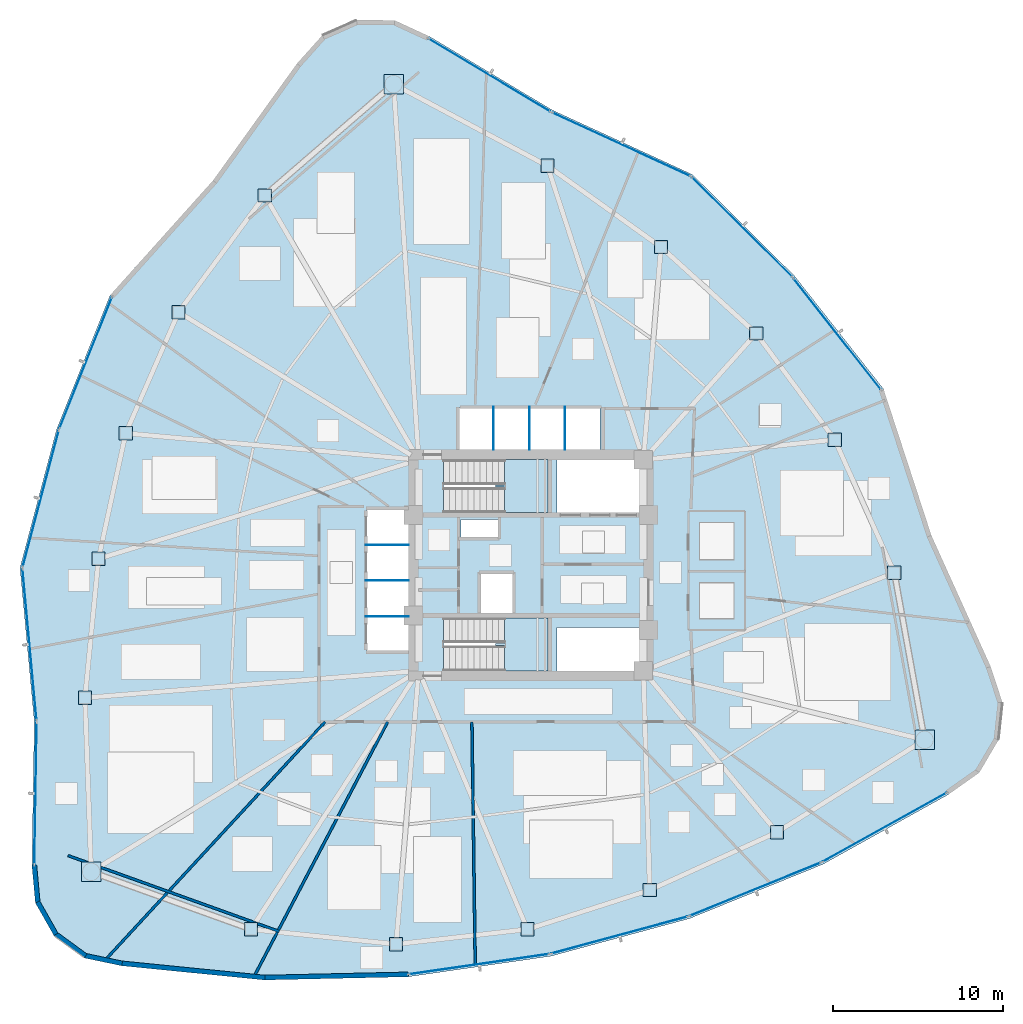
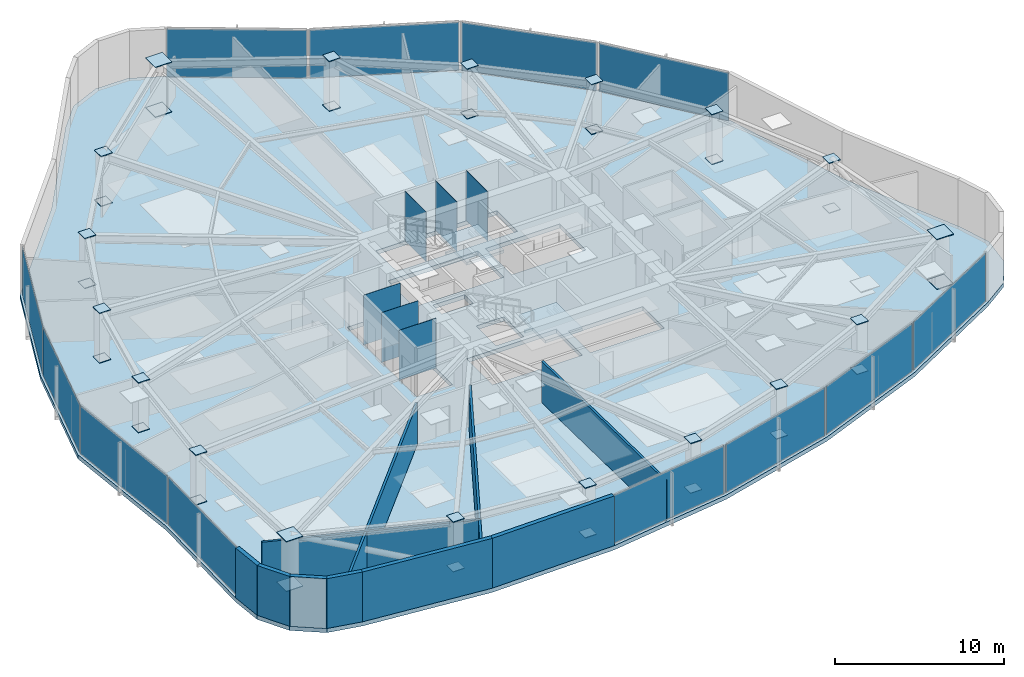
# One storey, part 10 of 17: 54 plates, 10 walls, 3 slabs, 14 elements without a shape of their own.
"""IFC4 building model written with IfcOpenShell, lengths in metres."""

from ifc_helpers import new_model, si_unit, direction, frame, frame_2d, origin, origin_2d, place, context, subcontext, project, spatial, polyline, rectangle, outline, extrude, source, transform, mapped, material, layer, layer_set, type_object, type_shapes, element, aggregate, save


model = new_model("IFC4")

# Units and contexts
model_context = context("Model", 3, precision=1e-05, world=origin(), true_north=direction((0.0, 1.0)))
body_context = subcontext(model_context, "Body", "Model", "MODEL_VIEW")
ifc_project = project(units=[si_unit("LENGTHUNIT", "METRE"), si_unit("AREAUNIT", "SQUARE_METRE"), si_unit("VOLUMEUNIT", "CUBIC_METRE"), si_unit("PLANEANGLEUNIT", "RADIAN"), si_unit("MASSUNIT", "GRAM", prefix="KILO")], contexts=[model_context])

# Site, building, storey
site_placement = place(None, origin())
site = spatial("IfcSite", under=ifc_project, at=site_placement, CompositionType="ELEMENT")
building_placement = place(site_placement, origin())
building = spatial("IfcBuilding", under=site, at=building_placement, Name="Tavelor Broadcast Tower", CompositionType="ELEMENT")
storey_placement = place(building_placement, frame((0.0, 0.0, 74.39990234375)))
storey = spatial("IfcBuildingStorey", under=building, at=storey_placement, Name="L17", CompositionType="ELEMENT", Elevation=74.39990234375)

# Stair, slab
ifc_material_1 = material(Name="Concrete C40/50", Category="concrete")
stair_type = type_object("IfcStairType", Name="Reinforced Concrete Protected Dogleg Stair 1450 mm", PredefinedType="HALF_TURN_STAIR", material=ifc_material_1)
stair_1_placement = place(storey_placement, origin())
stair_1 = element("IfcStair", 1, at=stair_1_placement, inside=storey, type_object=stair_type, Name="L17 Protected Core Exit Stair ST1", PredefinedType="HALF_TURN_STAIR")
ifc_layer_1 = layer(ifc_material_1, 0.199951171875)
ifc_layer_set_1 = layer_set([ifc_layer_1], Name="Concrete C40/50")
slab_type_1 = type_object("IfcSlabType", Name="Reinforced Concrete Stair Half-Landing Slab 200 mm", PredefinedType="LANDING", material=ifc_layer_set_1)
slab_1_placement = place(storey_placement, frame((0.0, 0.0, 1.75)))
slab_1 = element("IfcSlab", 2, at=slab_1_placement, type_object=slab_type_1, Name="ST1 landing 1", PredefinedType="LANDING", context=body_context, shape_type="SweptSolid", body=[
    extrude(outline(polyline([(48.445068359375, 49.590087890625), (48.445068359375, 48.094970703125), (51.0048828125, 48.094970703125), (51.0048828125, 51.205078125), (48.445068359375, 51.205078125), (48.445068359375, 49.7099609375), (47.905029296875, 49.7099609375), (47.905029296875, 49.590087890625), (48.445068359375, 49.590087890625)])), origin(), (0.0, 0.0, 1.0), 0.2001953125),
])
aggregate(stair_1, [slab_1])

stair_2_placement = place(storey_placement, origin())
stair_2 = element("IfcStair", 3, at=stair_2_placement, inside=storey, type_object=stair_type, Name="L17 Protected Core Exit Stair ST2", PredefinedType="HALF_TURN_STAIR")
slab_2_placement = place(storey_placement, frame((0.0, 0.0, 1.75)))
slab_2 = element("IfcSlab", 4, at=slab_2_placement, type_object=slab_type_1, Name="ST2 landing 1", PredefinedType="LANDING", context=body_context, shape_type="SweptSolid", body=[
    extrude(outline(polyline([(48.445068359375, 40.2900390625), (48.445068359375, 38.794921875), (51.0048828125, 38.794921875), (51.0048828125, 41.905029296875), (48.445068359375, 41.905029296875), (48.445068359375, 40.409912109375), (47.905029296875, 40.409912109375), (47.905029296875, 40.2900390625), (48.445068359375, 40.2900390625)])), origin(), (0.0, 0.0, 1.0), 0.2001953125),
])
aggregate(stair_2, [slab_2])

# Slab
ifc_layer_2 = layer(ifc_material_1, 0.300048828125)
ifc_layer_set_2 = layer_set([ifc_layer_2], Name="Concrete C40/50")
slab_type_2 = type_object("IfcSlabType", Name="Tower Composite Floor Slab 300 mm", PredefinedType="FLOOR", material=ifc_layer_set_2)
slab_3_placement = place(storey_placement, frame((0.0, 0.0, -0.2998046875)))
element("IfcSlab", 5, at=slab_3_placement, inside=storey, type_object=slab_type_2, Name="L17 Structural Floor Slab", PredefinedType="FLOOR", context=body_context, shape_type="SweptSolid", body=[
    extrude(outline(polyline([(44.001708984375, 76.086181640625), (41.98583984375, 77.015380859375), (39.766357421875, 77.03271484375), (37.736083984375, 76.13525390625), (36.25537109375, 74.48193359375), (31.327880859375, 67.618896484375), (25.2734375, 60.869384765625), (22.139404296875, 53.0234375), (19.9775390625, 44.85595703125), (20.81396484375, 35.82763671875), (20.677734375, 27.3798828125), (20.880859375, 25.169677734375), (21.9755859375, 23.23876953125), (23.767822265625, 21.92919921875), (25.940185546875, 21.473388671875), (34.34765625, 20.6376953125), (42.794189453125, 20.82568359375), (51.156005859375, 22.0341796875), (59.31005859375, 24.245849609375), (67.13671875, 27.427978515625), (74.5205078125, 31.533935546875), (76.333251953125, 32.81494140625), (77.4580078125, 34.728515625), (77.69580078125, 36.935302734375), (77.00439453125, 39.044677734375), (73.5244140625, 46.743408203125), (70.706298828125, 55.361328125), (65.478759765625, 61.99853515625), (59.486572265625, 67.954345703125), (51.24951171875, 71.744384765625), (44.001708984375, 76.086181640625)]), holes=[polyline([(56.60009765625, 38.800048828125), (51.52001953125, 38.800048828125), (51.52001953125, 41.35009765625), (56.60009765625, 41.35009765625), (56.60009765625, 38.800048828125)]), polyline([(50.99609375, 38.803955078125), (44.85400390625, 38.803955078125), (44.85400390625, 41.89599609375), (50.99609375, 41.89599609375), (50.99609375, 38.803955078125)]), polyline([(47.050048828125, 42.199951171875), (47.050048828125, 44.550048828125), (48.949951171875, 44.550048828125), (48.949951171875, 42.199951171875), (47.050048828125, 42.199951171875)]), polyline([(40.35009765625, 40.0), (40.35009765625, 48.25), (42.800048828125, 48.25), (42.800048828125, 40.0), (40.35009765625, 40.0)]), polyline([(48.050048828125, 46.64990234375), (45.89990234375, 46.64990234375), (45.89990234375, 47.699951171875), (48.050048828125, 47.699951171875), (48.050048828125, 46.64990234375)]), polyline([(50.99609375, 48.10400390625), (44.85400390625, 48.10400390625), (44.85400390625, 51.196044921875), (50.99609375, 51.196044921875), (50.99609375, 48.10400390625)]), polyline([(56.60009765625, 48.10009765625), (51.52001953125, 48.10009765625), (51.52001953125, 51.199951171875), (56.60009765625, 51.199951171875), (56.60009765625, 48.10009765625)]), polyline([(54.050048828125, 51.800048828125), (45.800048828125, 51.800048828125), (45.800048828125, 54.25), (54.050048828125, 54.25), (54.050048828125, 51.800048828125)])]), origin(), (0.0, 0.0, 1.0), 0.2998046875),
])

# Plates
ifc_material_2 = material(Name="Steel S460", Category="steel")
ifc_layer_3 = layer(ifc_material_2, 0.050048828125)
ifc_layer_set_3 = layer_set([ifc_layer_3], Name="Steel S460")
plate_type_1 = type_object("IfcPlateType", Name="Tube Hollow-End Cap Plate KN05 700x700x50", PredefinedType="USERDEFINED", material=ifc_layer_set_3)
shared_shape_1 = source(origin(), body_context, "Body", "SweptSolid", [
    extrude(rectangle(XDim=1.14697265625, YDim=1.14697265625, at=origin_2d()), origin(), (0.0, 0.0, 1.0), 0.054931640625),
])
for number, where, z_axis, x_axis, name in (
    (6, (41.923095703125, 73.266357421875, -0.02734375), (0.0, 0.0, 1.0), (1.0, 0.0, 0.0), "L17 Hollow End Cap Plate KN05 #508"),
    (7, (41.923095703125, 73.266357421875, 3.57275390625), (0.0, 0.0, 1.0), (1.0, 0.0, 0.0), "L17 Hollow End Cap Plate KN05 #509"),
    (8, (24.1591796875, 26.98974609375, -0.02734375), (0.0, 0.0, 1.0), (1.0, 0.0, 0.0), "L17 Hollow End Cap Plate KN05 #520"),
    (9, (24.1591796875, 26.98974609375, 3.57275390625), (0.0, 0.0, 1.0), (1.0, 0.0, 0.0), "L17 Hollow End Cap Plate KN05 #521"),
    (10, (73.117919921875, 34.743896484375, -0.02734375), (0.0, 0.0, 1.0), (1.0, 0.0, 0.0), "L17 Hollow End Cap Plate KN05 #532"),
    (11, (73.117919921875, 34.743896484375, 3.57275390625), (0.0, 0.0, 1.0), (1.0, 0.0, 0.0), "L17 Hollow End Cap Plate KN05 #533"),
):
    element("IfcPlate", number, at=place(storey_placement, frame(where, z_axis=z_axis, x_axis=x_axis)), inside=storey, type_object=plate_type_1, Name=name, ObjectType="CAP PLATE", PredefinedType="USERDEFINED", context=body_context, shape_type="MappedRepresentation", body=[
        mapped(shared_shape_1, transform((0.0, 0.0, 0.0), scale=1.0)),
    ])
shared_shape_2 = source(origin(), body_context, "Body", "SweptSolid", [
    extrude(rectangle(XDim=0.780029296875, YDim=0.780029296875, at=origin_2d()), origin(), (0.0, 0.0, 1.0), 0.054931640625),
])
type_shapes(plate_type_1, [shared_shape_1, shared_shape_2])
for number, where, z_axis, x_axis, name in (
    (12, (34.356201171875, 66.727783203125, -0.02734375), (0.0, 0.0, 1.0), (1.0, 0.0, 0.0), "L17 Hollow End Cap Plate KN05 #510"),
    (13, (34.356201171875, 66.727783203125, 3.57275390625), (0.0, 0.0, 1.0), (1.0, 0.0, 0.0), "L17 Hollow End Cap Plate KN05 #511"),
    (14, (29.292236328125, 59.87158203125, -0.02734375), (0.0, 0.0, 1.0), (1.0, 0.0, 0.0), "L17 Hollow End Cap Plate KN05 #512"),
    (15, (29.292236328125, 59.87158203125, 3.57275390625), (0.0, 0.0, 1.0), (1.0, 0.0, 0.0), "L17 Hollow End Cap Plate KN05 #513"),
    (16, (26.189208984375, 52.75830078125, -0.02734375), (0.0, 0.0, 1.0), (1.0, 0.0, 0.0), "L17 Hollow End Cap Plate KN05 #514"),
    (17, (26.189208984375, 52.75830078125, 3.57275390625), (0.0, 0.0, 1.0), (1.0, 0.0, 0.0), "L17 Hollow End Cap Plate KN05 #515"),
    (18, (24.58984375, 45.380615234375, -0.02734375), (0.0, 0.0, 1.0), (1.0, 0.0, 0.0), "L17 Hollow End Cap Plate KN05 #516"),
    (19, (24.58984375, 45.380615234375, 3.57275390625), (0.0, 0.0, 1.0), (1.0, 0.0, 0.0), "L17 Hollow End Cap Plate KN05 #517"),
    (20, (23.794677734375, 37.21630859375, -0.02734375), (0.0, 0.0, 1.0), (1.0, 0.0, 0.0), "L17 Hollow End Cap Plate KN05 #518"),
    (21, (23.794677734375, 37.21630859375, 3.57275390625), (0.0, 0.0, 1.0), (1.0, 0.0, 0.0), "L17 Hollow End Cap Plate KN05 #519"),
    (22, (33.55078125, 23.615478515625, -0.02734375), (0.0, 0.0, 1.0), (1.0, 0.0, 0.0), "L17 Hollow End Cap Plate KN05 #522"),
    (23, (33.55078125, 23.615478515625, 3.57275390625), (0.0, 0.0, 1.0), (1.0, 0.0, 0.0), "L17 Hollow End Cap Plate KN05 #523"),
    (24, (42.0732421875, 22.740478515625, -0.02734375), (0.0, 0.0, 1.0), (1.0, 0.0, 0.0), "L17 Hollow End Cap Plate KN05 #524"),
    (25, (42.0732421875, 22.740478515625, 3.57275390625), (0.0, 0.0, 1.0), (1.0, 0.0, 0.0), "L17 Hollow End Cap Plate KN05 #525"),
    (26, (49.78662109375, 23.617919921875, -0.02734375), (0.0, 0.0, 1.0), (1.0, 0.0, 0.0), "L17 Hollow End Cap Plate KN05 #526"),
    (27, (49.78662109375, 23.617919921875, 3.57275390625), (0.0, 0.0, 1.0), (1.0, 0.0, 0.0), "L17 Hollow End Cap Plate KN05 #527"),
    (28, (56.975341796875, 25.92138671875, -0.02734375), (0.0, 0.0, 1.0), (1.0, 0.0, 0.0), "L17 Hollow End Cap Plate KN05 #528"),
    (29, (56.975341796875, 25.92138671875, 3.57275390625), (0.0, 0.0, 1.0), (1.0, 0.0, 0.0), "L17 Hollow End Cap Plate KN05 #529"),
    (30, (64.443603515625, 29.31494140625, -0.02734375), (0.0, 0.0, 1.0), (1.0, 0.0, 0.0), "L17 Hollow End Cap Plate KN05 #530"),
    (31, (64.443603515625, 29.31494140625, 3.57275390625), (0.0, 0.0, 1.0), (1.0, 0.0, 0.0), "L17 Hollow End Cap Plate KN05 #531"),
    (32, (71.343994140625, 44.564697265625, -0.02734375), (0.0, 0.0, 1.0), (1.0, 0.0, 0.0), "L17 Hollow End Cap Plate KN05 #534"),
    (33, (71.343994140625, 44.564697265625, 3.57275390625), (0.0, 0.0, 1.0), (1.0, 0.0, 0.0), "L17 Hollow End Cap Plate KN05 #535"),
    (34, (67.8408203125, 52.382568359375, -0.02734375), (0.0, 0.0, 1.0), (1.0, 0.0, 0.0), "L17 Hollow End Cap Plate KN05 #536"),
    (35, (67.8408203125, 52.382568359375, 3.57275390625), (0.0, 0.0, 1.0), (1.0, 0.0, 0.0), "L17 Hollow End Cap Plate KN05 #537"),
    (36, (63.22412109375, 58.623779296875, -0.02734375), (0.0, 0.0, 1.0), (1.0, 0.0, 0.0), "L17 Hollow End Cap Plate KN05 #538"),
    (37, (63.22412109375, 58.623779296875, 3.57275390625), (0.0, 0.0, 1.0), (1.0, 0.0, 0.0), "L17 Hollow End Cap Plate KN05 #539"),
    (38, (57.634765625, 63.69775390625, -0.02734375), (0.0, 0.0, 1.0), (1.0, 0.0, 0.0), "L17 Hollow End Cap Plate KN05 #540"),
    (39, (57.634765625, 63.69775390625, 3.57275390625), (0.0, 0.0, 1.0), (1.0, 0.0, 0.0), "L17 Hollow End Cap Plate KN05 #541"),
    (40, (50.9619140625, 68.468505859375, -0.02734375), (0.0, 0.0, 1.0), (1.0, 0.0, 0.0), "L17 Hollow End Cap Plate KN05 #542"),
    (41, (50.9619140625, 68.468505859375, 3.57275390625), (0.0, 0.0, 1.0), (1.0, 0.0, 0.0), "L17 Hollow End Cap Plate KN05 #543"),
):
    element("IfcPlate", number, at=place(storey_placement, frame(where, z_axis=z_axis, x_axis=x_axis)), inside=storey, type_object=plate_type_1, Name=name, ObjectType="CAP PLATE", PredefinedType="USERDEFINED", context=body_context, shape_type="MappedRepresentation", body=[
        mapped(shared_shape_2, transform((0.0, 0.0, 0.0), scale=1.0)),
    ])
ifc_material_3 = material(Name="Steel S355", Category="steel")
ifc_layer_4 = layer(ifc_material_3, 0.011962890625)
ifc_layer_set_4 = layer_set([ifc_layer_4], Name="Steel S355")
plate_type_2 = type_object("IfcPlateType", Name="Hoistway Steel Separator Screen 12 mm", PredefinedType="SHEET", material=ifc_layer_set_4)
shared_shape_3 = source(origin(), body_context, "Body", "SweptSolid", [
    extrude(rectangle(XDim=2.52001953125, YDim=0.02001953125, at=origin_2d()), origin(), (0.0, 0.0, 1.0), 3.60009765625),
])
for number, where, z_axis, x_axis, name in (
    (42, (41.56005859375, 42.0, 0.0), (0.0, 0.0, 1.0), (1.0, 0.0, 0.0), "L17 Low-Rise Hoistway Separator Screen 1"),
    (43, (41.56005859375, 44.10009765625, 0.0), (0.0, 0.0, 1.0), (1.0, 0.0, 0.0), "L17 Low-Rise Hoistway Separator Screen 2"),
    (44, (41.56005859375, 46.199951171875, 0.0), (0.0, 0.0, 1.0), (1.0, 0.0, 0.0), "L17 Low-Rise Hoistway Separator Screen 3"),
):
    element("IfcPlate", number, at=place(storey_placement, frame(where, z_axis=z_axis, x_axis=x_axis)), inside=storey, type_object=plate_type_2, Name=name, PredefinedType="SHEET", context=body_context, shape_type="MappedRepresentation", body=[
        mapped(shared_shape_3, transform((0.0, 0.0, 0.0), scale=1.0)),
    ])
shared_shape_4 = source(origin(), body_context, "Body", "SweptSolid", [
    extrude(rectangle(XDim=0.02001953125, YDim=2.52001953125, at=origin_2d()), origin(), (0.0, 0.0, 1.0), 3.60009765625),
])
type_shapes(plate_type_2, [shared_shape_3, shared_shape_4])
for number, where, z_axis, x_axis, name in (
    (45, (47.800048828125, 53.0400390625, 0.0), (0.0, 0.0, 1.0), (1.0, 0.0, 0.0), "L17 High-Rise Hoistway Separator Screen 1"),
    (46, (49.89990234375, 53.0400390625, 0.0), (0.0, 0.0, 1.0), (1.0, 0.0, 0.0), "L17 High-Rise Hoistway Separator Screen 2"),
    (47, (52.0, 53.0400390625, 0.0), (0.0, 0.0, 1.0), (1.0, 0.0, 0.0), "L17 High-Rise Hoistway Separator Screen 3"),
):
    element("IfcPlate", number, at=place(storey_placement, frame(where, z_axis=z_axis, x_axis=x_axis)), inside=storey, type_object=plate_type_2, Name=name, PredefinedType="SHEET", context=body_context, shape_type="MappedRepresentation", body=[
        mapped(shared_shape_4, transform((0.0, 0.0, 0.0), scale=1.0)),
    ])

# Curtain wall, plate
ifc_material_4 = material(Name="Architectural Anodized Aluminium", Category="aluminium")
ifc_layer_5 = layer(ifc_material_4, 0.179931640625)
ifc_layer_set_5 = layer_set([ifc_layer_5], Name="Architectural Anodized Aluminium")
curtain_wall_type = type_object("IfcCurtainWallType", Name="Tower Low-Zone Unitised Curtain Wall CW02", PredefinedType="NOTDEFINED", material=ifc_layer_set_5)
curtain_wall_1_placement = place(storey_placement, origin())
curtain_wall_1 = element("IfcCurtainWall", 48, at=curtain_wall_1_placement, inside=storey, type_object=curtain_wall_type, Name="L17 Curtain Wall CW02 Run 160", PredefinedType="NOTDEFINED")
ifc_material_5 = material(Name="Acoustic Double Glazing 28 mm", Category="glass")
ifc_layer_6 = layer(ifc_material_5, 0.028076171875)
ifc_layer_set_6 = layer_set([ifc_layer_6], Name="Acoustic Double Glazing 28 mm")
plate_type_3 = type_object("IfcPlateType", Name="CW02 Insulated Vision Glazing Panel 28 mm", PredefinedType="CURTAIN_PANEL", material=ifc_layer_set_6)
shared_shape_5 = source(origin(), body_context, "Body", "SweptSolid", [
    extrude(rectangle(XDim=8.3037109375, YDim=0.028076171875, at=origin_2d()), origin(), (0.0, 0.0, 1.0), 3.469970703125),
])
plate_1_placement = place(storey_placement, frame((20.885986328125, 31.6015625, 0.06494140625), z_axis=(0.0, 0.0, 1.0), x_axis=(-0.016125787544, -0.999869971034, 0.0)))
plate_1 = element("IfcPlate", 49, at=plate_1_placement, type_object=plate_type_3, Name="CW02 panel 1.1", PredefinedType="CURTAIN_PANEL", context=body_context, shape_type="MappedRepresentation", body=[
    mapped(shared_shape_5, transform((0.0, 0.0, 0.0), scale=1.0)),
])
aggregate(curtain_wall_1, [plate_1])

curtain_wall_2_placement = place(storey_placement, origin())
curtain_wall_2 = element("IfcCurtainWall", 50, at=curtain_wall_2_placement, inside=storey, type_object=curtain_wall_type, Name="L17 Curtain Wall CW02 Run 168", PredefinedType="NOTDEFINED")
plate_2_placement = place(storey_placement, frame((47.5537109375, 73.795166015625, 0.06494140625), z_axis=(0.0, 0.0, 1.0), x_axis=(-0.857855751459, 0.513890561976, 0.0)))
plate_2 = element("IfcPlate", 51, at=plate_2_placement, type_object=plate_type_3, Name="CW02 panel 1.1", PredefinedType="CURTAIN_PANEL", context=body_context, shape_type="MappedRepresentation", body=[
    mapped(shared_shape_5, transform((0.0, 0.0, 0.0), scale=1.0)),
])
aggregate(curtain_wall_2, [plate_2])

curtain_wall_3_placement = place(storey_placement, origin())
curtain_wall_3 = element("IfcCurtainWall", 52, at=curtain_wall_3_placement, inside=storey, type_object=curtain_wall_type, Name="L17 Curtain Wall CW02 Run 157", PredefinedType="NOTDEFINED")
shared_shape_6 = source(origin(), body_context, "Body", "SweptSolid", [
    extrude(rectangle(XDim=8.270263671875, YDim=0.028076171875, at=origin_2d()), origin(), (0.0, 0.0, 1.0), 3.469970703125),
])
plate_3_placement = place(storey_placement, frame((23.836181640625, 56.893798828125, 0.06494140625), z_axis=(0.0, 0.0, 1.0), x_axis=(-0.370959621114, -0.928648996932, 0.0)))
plate_3 = element("IfcPlate", 53, at=plate_3_placement, type_object=plate_type_3, Name="CW02 panel 1.1", PredefinedType="CURTAIN_PANEL", context=body_context, shape_type="MappedRepresentation", body=[
    mapped(shared_shape_6, transform((0.0, 0.0, 0.0), scale=1.0)),
])
aggregate(curtain_wall_3, [plate_3])

curtain_wall_4_placement = place(storey_placement, origin())
curtain_wall_4 = element("IfcCurtainWall", 54, at=curtain_wall_4_placement, inside=storey, type_object=curtain_wall_type, Name="L17 Curtain Wall CW02 Run 165", PredefinedType="NOTDEFINED")
plate_4_placement = place(storey_placement, frame((67.982177734375, 58.593994140625, 0.06494140625), z_axis=(0.0, 0.0, 1.0), x_axis=(-0.618749581214, 0.785588286412, 0.0)))
plate_4 = element("IfcPlate", 55, at=plate_4_placement, type_object=plate_type_3, Name="CW02 panel 1.1", PredefinedType="CURTAIN_PANEL", context=body_context, shape_type="MappedRepresentation", body=[
    mapped(shared_shape_6, transform((0.0, 0.0, 0.0), scale=1.0)),
])
aggregate(curtain_wall_4, [plate_4])

curtain_wall_5_placement = place(storey_placement, origin())
curtain_wall_5 = element("IfcCurtainWall", 56, at=curtain_wall_5_placement, inside=storey, type_object=curtain_wall_type, Name="L17 Curtain Wall CW02 Run 158", PredefinedType="NOTDEFINED")
shared_shape_7 = source(origin(), body_context, "Body", "SweptSolid", [
    extrude(rectangle(XDim=8.25537109375, YDim=0.028076171875, at=origin_2d()), origin(), (0.0, 0.0, 1.0), 3.469970703125),
])
plate_5_placement = place(storey_placement, frame((21.19580078125, 48.911865234375, 0.06494140625), z_axis=(0.0, 0.0, 1.0), x_axis=(-0.255874859924, -0.966709913086, 0.0)))
plate_5 = element("IfcPlate", 57, at=plate_5_placement, type_object=plate_type_3, Name="CW02 panel 1.1", PredefinedType="CURTAIN_PANEL", context=body_context, shape_type="MappedRepresentation", body=[
    mapped(shared_shape_7, transform((0.0, 0.0, 0.0), scale=1.0)),
])
aggregate(curtain_wall_5, [plate_5])

curtain_wall_6_placement = place(storey_placement, origin())
curtain_wall_6 = element("IfcCurtainWall", 58, at=curtain_wall_6_placement, inside=storey, type_object=curtain_wall_type, Name="L17 Curtain Wall CW02 Run 159", PredefinedType="NOTDEFINED")
shared_shape_8 = source(origin(), body_context, "Body", "SweptSolid", [
    extrude(rectangle(XDim=8.8896484375, YDim=0.028076171875, at=origin_2d()), origin(), (0.0, 0.0, 1.0), 3.469970703125),
])
plate_6_placement = place(storey_placement, frame((20.53662109375, 40.338623046875, 0.06494140625), z_axis=(0.0, 0.0, 1.0), x_axis=(0.09224197703, -0.995736620635, 0.0)))
plate_6 = element("IfcPlate", 59, at=plate_6_placement, type_object=plate_type_3, Name="CW02 panel 1.1", PredefinedType="CURTAIN_PANEL", context=body_context, shape_type="MappedRepresentation", body=[
    mapped(shared_shape_8, transform((0.0, 0.0, 0.0), scale=1.0)),
])
aggregate(curtain_wall_6, [plate_6])

curtain_wall_7_placement = place(storey_placement, origin())
curtain_wall_7 = element("IfcCurtainWall", 60, at=curtain_wall_7_placement, inside=storey, type_object=curtain_wall_type, Name="L17 Curtain Wall CW02 Run 161", PredefinedType="NOTDEFINED")
shared_shape_9 = source(origin(), body_context, "Body", "SweptSolid", [
    extrude(rectangle(XDim=8.28662109375, YDim=0.028076171875, at=origin_2d()), origin(), (0.0, 0.0, 1.0), 3.469970703125),
])
plate_7_placement = place(storey_placement, frame((46.94775390625, 21.5673828125, 0.06494140625), z_axis=(0.0, 0.0, 1.0), x_axis=(0.989715520474, 0.14304960165, 0.0)))
plate_7 = element("IfcPlate", 61, at=plate_7_placement, type_object=plate_type_3, Name="CW02 panel 1.1", PredefinedType="CURTAIN_PANEL", context=body_context, shape_type="MappedRepresentation", body=[
    mapped(shared_shape_9, transform((0.0, 0.0, 0.0), scale=1.0)),
])
aggregate(curtain_wall_7, [plate_7])

curtain_wall_8_placement = place(storey_placement, origin())
curtain_wall_8 = element("IfcCurtainWall", 62, at=curtain_wall_8_placement, inside=storey, type_object=curtain_wall_type, Name="L17 Curtain Wall CW02 Run 162", PredefinedType="NOTDEFINED")
shared_shape_10 = source(origin(), body_context, "Body", "SweptSolid", [
    extrude(rectangle(XDim=8.271728515625, YDim=0.028076171875, at=origin_2d()), origin(), (0.0, 0.0, 1.0), 3.469970703125),
])
plate_8_placement = place(storey_placement, frame((55.1962890625, 23.275146484375, 0.06494140625), z_axis=(0.0, 0.0, 1.0), x_axis=(0.965130389824, 0.261769613665, 0.0)))
plate_8 = element("IfcPlate", 63, at=plate_8_placement, type_object=plate_type_3, Name="CW02 panel 1.1", PredefinedType="CURTAIN_PANEL", context=body_context, shape_type="MappedRepresentation", body=[
    mapped(shared_shape_10, transform((0.0, 0.0, 0.0), scale=1.0)),
])
aggregate(curtain_wall_8, [plate_8])

curtain_wall_9_placement = place(storey_placement, origin())
curtain_wall_9 = element("IfcCurtainWall", 64, at=curtain_wall_9_placement, inside=storey, type_object=curtain_wall_type, Name="L17 Curtain Wall CW02 Run 163", PredefinedType="NOTDEFINED")
plate_9_placement = place(storey_placement, frame((63.170654296875, 25.966552734375, 0.06494140625), z_axis=(0.0, 0.0, 1.0), x_axis=(0.926357982393, 0.376644246547, 0.0)))
plate_9 = element("IfcPlate", 65, at=plate_9_placement, type_object=plate_type_3, Name="CW02 panel 1.1", PredefinedType="CURTAIN_PANEL", context=body_context, shape_type="MappedRepresentation", body=[
    mapped(shared_shape_10, transform((0.0, 0.0, 0.0), scale=1.0)),
])
aggregate(curtain_wall_9, [plate_9])

curtain_wall_10_placement = place(storey_placement, origin())
curtain_wall_10 = element("IfcCurtainWall", 66, at=curtain_wall_10_placement, inside=storey, type_object=curtain_wall_type, Name="L17 Curtain Wall CW02 Run 164", PredefinedType="NOTDEFINED")
shared_shape_11 = source(origin(), body_context, "Body", "SweptSolid", [
    extrude(rectangle(XDim=8.28759765625, YDim=0.028076171875, at=origin_2d()), origin(), (0.0, 0.0, 1.0), 3.469970703125),
])
plate_10_placement = place(storey_placement, frame((70.767578125, 29.607177734375, 0.06494140625), z_axis=(0.0, 0.0, 1.0), x_axis=(0.873976215929, 0.485968696513, 0.0)))
plate_10 = element("IfcPlate", 67, at=plate_10_placement, type_object=plate_type_3, Name="CW02 panel 1.1", PredefinedType="CURTAIN_PANEL", context=body_context, shape_type="MappedRepresentation", body=[
    mapped(shared_shape_11, transform((0.0, 0.0, 0.0), scale=1.0)),
])
aggregate(curtain_wall_10, [plate_10])

curtain_wall_11_placement = place(storey_placement, origin())
curtain_wall_11 = element("IfcCurtainWall", 68, at=curtain_wall_11_placement, inside=storey, type_object=curtain_wall_type, Name="L17 Curtain Wall CW02 Run 166", PredefinedType="NOTDEFINED")
shared_shape_12 = source(origin(), body_context, "Body", "SweptSolid", [
    extrude(rectangle(XDim=8.255126953125, YDim=0.028076171875, at=origin_2d()), origin(), (0.0, 0.0, 1.0), 3.469970703125),
])
plate_11_placement = place(storey_placement, frame((62.3896484375, 64.871337890625, 0.06494140625), z_axis=(0.0, 0.0, 1.0), x_axis=(-0.709262053087, 0.70494491987, 0.0)))
plate_11 = element("IfcPlate", 69, at=plate_11_placement, type_object=plate_type_3, Name="CW02 panel 1.1", PredefinedType="CURTAIN_PANEL", context=body_context, shape_type="MappedRepresentation", body=[
    mapped(shared_shape_12, transform((0.0, 0.0, 0.0), scale=1.0)),
])
aggregate(curtain_wall_11, [plate_11])

curtain_wall_12_placement = place(storey_placement, origin())
curtain_wall_12 = element("IfcCurtainWall", 70, at=curtain_wall_12_placement, inside=storey, type_object=curtain_wall_type, Name="L17 Curtain Wall CW02 Run 167", PredefinedType="NOTDEFINED")
shared_shape_13 = source(origin(), body_context, "Body", "SweptSolid", [
    extrude(rectangle(XDim=8.889892578125, YDim=0.028076171875, at=origin_2d()), origin(), (0.0, 0.0, 1.0), 3.469970703125),
])
type_shapes(plate_type_3, [shared_shape_5, shared_shape_6, shared_shape_7, shared_shape_8, shared_shape_9, shared_shape_10, shared_shape_11, shared_shape_12, shared_shape_13])
plate_12_placement = place(storey_placement, frame((55.294677734375, 69.72900390625, 0.06494140625), z_axis=(0.0, 0.0, 1.0), x_axis=(-0.908453913745, 0.417985031551, 0.0)))
plate_12 = element("IfcPlate", 71, at=plate_12_placement, type_object=plate_type_3, Name="CW02 panel 1.1", PredefinedType="CURTAIN_PANEL", context=body_context, shape_type="MappedRepresentation", body=[
    mapped(shared_shape_13, transform((0.0, 0.0, 0.0), scale=1.0)),
])
aggregate(curtain_wall_12, [plate_12])

# Walls
ifc_material_6 = material(Name="Precast Concrete C40/50", Category="concrete")
ifc_layer_7 = layer(ifc_material_6, 0.280029296875)
ifc_layer_set_7 = layer_set([ifc_layer_7], Name="Precast Concrete C40/50")
wall_type_1 = type_object("IfcWallType", Name="Insulated Precast Terracotta Facade Wall 280 mm", PredefinedType="STANDARD", material=ifc_layer_set_7)
wall_1_placement = place(storey_placement, frame((20.8173828125, 27.389404296875, 0.0), z_axis=(0.0, 0.0, 1.0), x_axis=(0.091505764199, -0.995804546645, 0.0)))
element("IfcWall", 72, at=wall_1_placement, inside=storey, type_object=wall_type_1, Name="L17 Rounded Corner Structural Cladding Pier 11", PredefinedType="STANDARD", context=body_context, shape_type="SweptSolid", body=[
    extrude(rectangle(XDim=2.201171875, YDim=0.280029296875, at=frame_2d((1.1005859375, 0.0))), origin(), (0.0, 0.0, 1.0), 3.60009765625),
])
for number, where, z_axis, x_axis, name in (
    (73, (21.01025390625, 25.2255859375, 0.0), (0.0, 0.0, 1.0), (0.493085720593, -0.869980730906, 0.0), "L17 Rounded Corner Structural Cladding Pier 12"),
    (74, (22.0703125, 23.3427734375, 0.0), (0.0, 0.0, 1.0), (0.807509598789, -0.589854429383, 0.0), "L17 Rounded Corner Structural Cladding Pier 13"),
):
    element("IfcWall", number, at=place(storey_placement, frame(where, z_axis=z_axis, x_axis=x_axis)), inside=storey, type_object=wall_type_1, Name=name, PredefinedType="STANDARD", context=body_context, shape_type="SweptSolid", body=[
        extrude(rectangle(XDim=2.189453125, YDim=0.280029296875, at=frame_2d((1.0947265625, 0.0))), origin(), (0.0, 0.0, 1.0), 3.60009765625),
    ])
wall_2_placement = place(storey_placement, frame((23.8115234375, 22.063232421875, 0.0), z_axis=(0.0, 0.0, 1.0), x_axis=(0.978677243355, -0.205404122012, 0.0)))
element("IfcWall", 75, at=wall_2_placement, inside=storey, type_object=wall_type_1, Name="L17 Rounded Corner Structural Cladding Pier 14", PredefinedType="STANDARD", context=body_context, shape_type="SweptSolid", body=[
    extrude(rectangle(XDim=2.2119140625, YDim=0.280029296875, at=frame_2d((1.10595703125, 0.0))), origin(), (0.0, 0.0, 1.0), 3.60009765625),
])
wall_3_placement = place(storey_placement, frame((25.94677734375, 21.613525390625, 0.0), z_axis=(0.0, 0.0, 1.0), x_axis=(0.995097844746, -0.098895295039, 0.0)))
element("IfcWall", 76, at=wall_3_placement, inside=storey, type_object=wall_type_1, Name="L17 Rounded Corner Structural Cladding Pier 15", PredefinedType="STANDARD", context=body_context, shape_type="SweptSolid", body=[
    extrude(rectangle(XDim=8.462646484375, YDim=0.280029296875, at=frame_2d((4.2314453125, 0.0))), origin(), (0.0, 0.0, 1.0), 3.60009765625),
])
wall_4_placement = place(storey_placement, frame((34.337890625, 20.777587890625, 0.0), z_axis=(0.0, 0.0, 1.0), x_axis=(0.999752550019, 0.022244970916, 0.0)))
element("IfcWall", 77, at=wall_4_placement, inside=storey, type_object=wall_type_1, Name="L17 Rounded Corner Structural Cladding Pier 16", PredefinedType="STANDARD", context=body_context, shape_type="SweptSolid", body=[
    extrude(rectangle(XDim=8.450927734375, YDim=0.280029296875, at=frame_2d((4.2255859375, 0.0))), origin(), (0.0, 0.0, 1.0), 3.60009765625),
])
ifc_material_7 = material(Name="Gypsum Acoustic Plasterboard 150 mm", Category="gypsum")
ifc_layer_8 = layer(ifc_material_7, 0.14990234375)
ifc_layer_set_8 = layer_set([ifc_layer_8], Name="Gypsum Acoustic Plasterboard 150 mm")
wall_type_2 = type_object("IfcWallType", Name="Interior Acoustic Partition Wall 150 mm", PredefinedType="PARTITIONING", material=ifc_layer_set_8)
wall_5_placement = place(storey_placement, frame((22.802001953125, 27.94482421875, 0.0), z_axis=(0.0, 0.0, 1.0), x_axis=(0.941102349209, -0.338121824662, 0.0)))
element("IfcWall", 78, at=wall_5_placement, inside=storey, type_object=wall_type_2, Name="L17 Corner Tube Brace Furring Wall 2", PredefinedType="PARTITIONING", context=body_context, shape_type="SweptSolid", body=[
    extrude(rectangle(XDim=13.1796875, YDim=0.14990234375, at=frame_2d((6.58984375, 0.0))), origin(), (0.0, 0.0, 1.0), 2.97509765625),
])
wall_6_placement = place(storey_placement, frame((37.902587890625, 35.800048828125, 0.0), z_axis=(0.0, 0.0, 1.0), x_axis=(-0.678485038422, -0.73461422028, 0.0)))
element("IfcWall", 79, at=wall_6_placement, inside=storey, type_object=wall_type_2, Name="L17 Radial Compartment Wall 04", PredefinedType="PARTITIONING", context=body_context, shape_type="SweptSolid", body=[
    extrude(rectangle(XDim=19.046875, YDim=0.14990234375, at=frame_2d((9.5234375, 0.0))), origin(), (0.0, 0.0, 1.0), 2.97509765625),
])
wall_7_placement = place(storey_placement, frame((41.57470703125, 35.800048828125, 0.0), z_axis=(0.0, 0.0, 1.0), x_axis=(-0.464501273873, -0.885572451339, 0.0)))
element("IfcWall", 80, at=wall_7_placement, inside=storey, type_object=wall_type_2, Name="L17 Radial Compartment Wall 05", PredefinedType="PARTITIONING", context=body_context, shape_type="SweptSolid", body=[
    extrude(rectangle(XDim=16.90380859375, YDim=0.14990234375, at=frame_2d((8.451904296875, 0.0))), origin(), (0.0, 0.0, 1.0), 2.97509765625),
])
wall_8_placement = place(storey_placement, frame((46.526123046875, 35.800048828125, 0.0), z_axis=(0.0, 0.0, 1.0), x_axis=(0.013697579238, -0.999906183761, 0.0)))
element("IfcWall", 81, at=wall_8_placement, inside=storey, type_object=wall_type_2, Name="L17 Radial Compartment Wall 06", PredefinedType="PARTITIONING", context=body_context, shape_type="SweptSolid", body=[
    extrude(rectangle(XDim=14.276611328125, YDim=0.14990234375, at=frame_2d((7.13818359375, 0.0))), origin(), (0.0, 0.0, 1.0), 2.97509765625),
])

save(model, "model.ifc")
